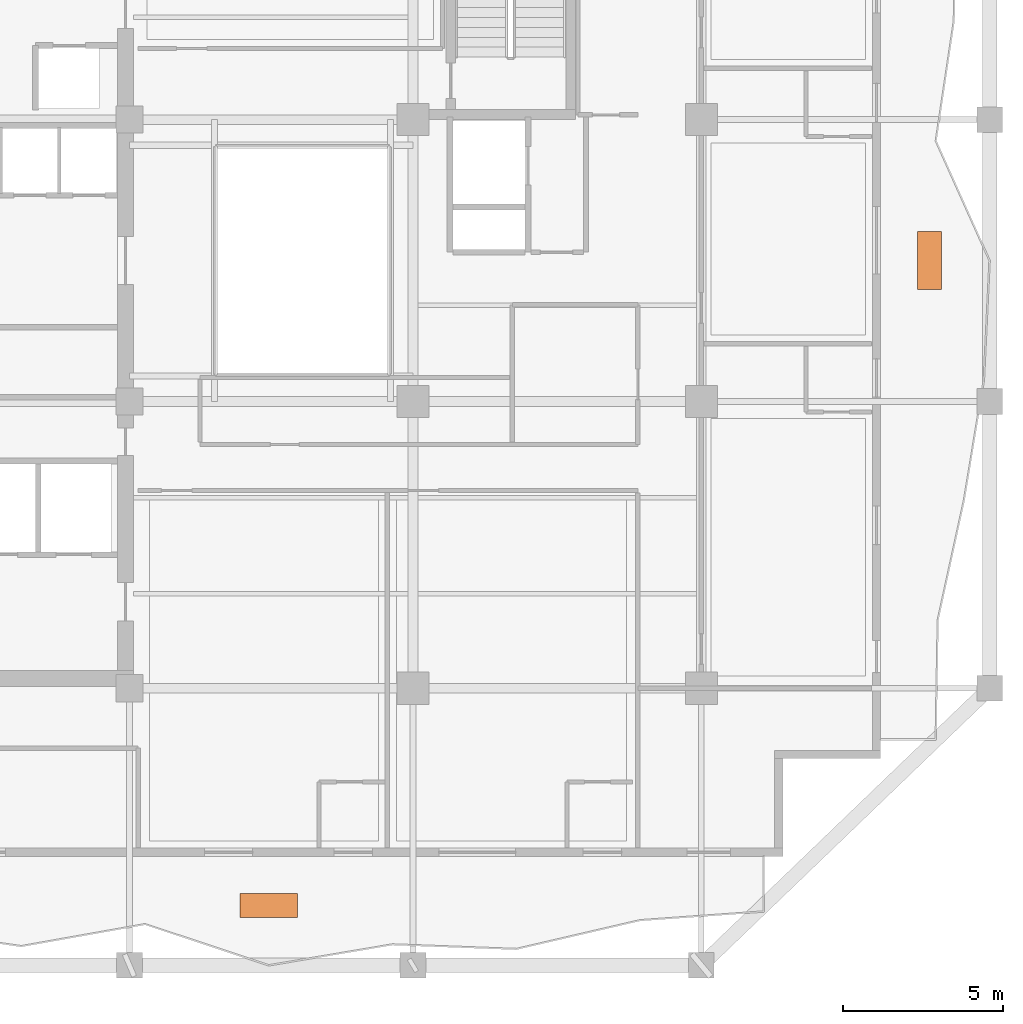
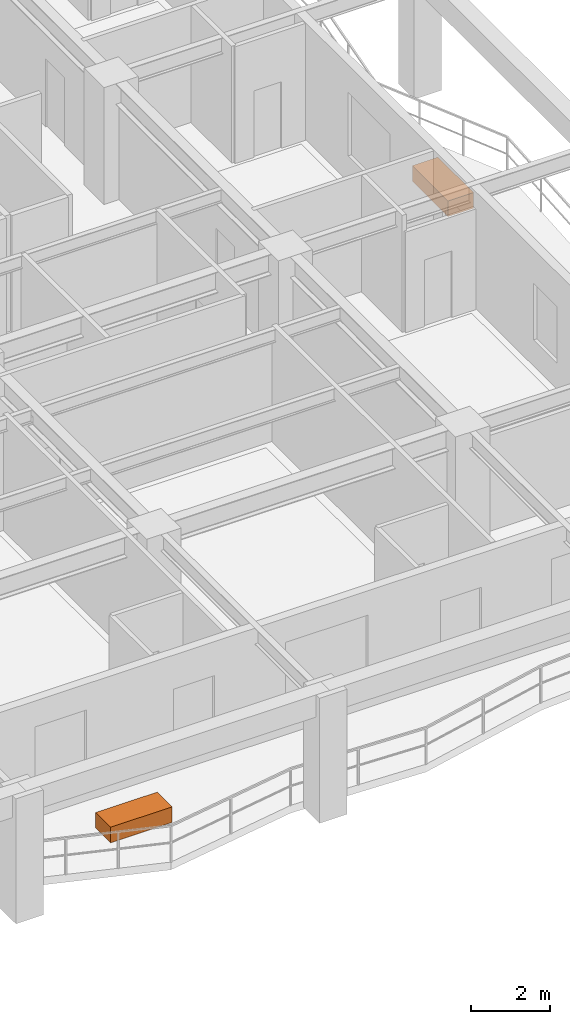
# One storey, part 10 of 10: 2 proxies.
"""IFC4 building model written with IfcOpenShell, lengths in metres."""

import ifcopenshell
import ifcopenshell.guid

model = None  # the IFC model being written
_history = None  # IfcOwnerHistory: only IFC2X3 demands one
_inside = {}  # id of a spatial element -> (the spatial element, [elements in it])
_under = {}  # id of a project, library or spatial element -> (it, [spatial elements below it])
_declared = {}  # id of a project -> (the project, [libraries it declares])
_typed = {}  # id of a type object -> (the type object, [elements of that type])
_made_of = {}  # id of a material, layer set ... -> (it, [elements and type objects made of it])


def new_model(schema):
    """Start an empty IFC model of exactly this schema.

    Asked for "IFC4X3", IfcOpenShell would pick the latest addendum, in which some entities
    have other attributes; the version numbers below select the first issue.
    IFC2X3 requires an IfcOwnerHistory on every rooted entity: one is made here for all.
    """
    global model, _history
    if schema == "IFC4X3":
        model = ifcopenshell.file(schema_version=(4, 3, 0, 0))
    else:
        model = ifcopenshell.file(schema=schema)
    _inside.clear()
    _under.clear()
    _declared.clear()
    _typed.clear()
    _made_of.clear()
    _history = None
    if model.schema == "IFC2X3":
        org = make("IfcOrganization", Name="unknown")
        user = make(
            "IfcPersonAndOrganization",
            ThePerson=make("IfcPerson", FamilyName="unknown"),
            TheOrganization=org,
        )
        app = make(
            "IfcApplication",
            ApplicationDeveloper=org,
            Version="unknown",
            ApplicationFullName="unknown",
            ApplicationIdentifier="unknown",
        )
        _history = make(
            "IfcOwnerHistory",
            OwningUser=user,
            OwningApplication=app,
            ChangeAction="ADDED",
            CreationDate=0,
        )
    return model


def make(cls, **values):
    """One entity of the class cls with the attributes given. An attribute that is None is left unset."""
    return model.create_entity(
        cls, **{name: value for name, value in values.items() if value is not None}
    )


def rooted(cls, **values):
    """An entity with a GlobalId (a new one), such as an element, a storey or a relation."""
    return make(cls, GlobalId=ifcopenshell.guid.new(), OwnerHistory=_history, **values)


def si_unit(unit_type, name, prefix=None):
    """IfcSIUnit, for example si_unit("LENGTHUNIT", "METRE", prefix="MILLI")."""
    return make("IfcSIUnit", UnitType=unit_type, Prefix=prefix, Name=name)


def assignment(units):
    """IfcUnitAssignment: the units of a project."""
    return None if units is None else make("IfcUnitAssignment", Units=units)


def point(xyz):
    """IfcCartesianPoint."""
    return None if xyz is None else make("IfcCartesianPoint", Coordinates=xyz)


def direction(xyz):
    """IfcDirection."""
    return None if xyz is None else make("IfcDirection", DirectionRatios=xyz)


def frame(location, z_axis=None, x_axis=None):
    """IfcAxis2Placement3D, a coordinate frame: its origin and axes. An axis left out is left unset."""
    return make(
        "IfcAxis2Placement3D",
        Location=point(location),
        Axis=direction(z_axis),
        RefDirection=direction(x_axis),
    )


def frame_2d(location, x_axis=None):
    """IfcAxis2Placement2D, a coordinate frame in the plane: its origin and x axis."""
    return make(
        "IfcAxis2Placement2D", Location=point(location), RefDirection=direction(x_axis)
    )


def origin():
    """The frame at (0, 0, 0) with its axes left unset."""
    return frame((0.0, 0.0, 0.0))


def origin_2d():
    """The frame at (0, 0) in the plane with its x axis left unset."""
    return frame_2d((0.0, 0.0))


def place(relative_to, where):
    """IfcLocalPlacement: puts the frame where relative to a parent placement (None: the world)."""
    return make(
        "IfcLocalPlacement", PlacementRelTo=relative_to, RelativePlacement=where
    )


def context(
    kind, dimensions, precision=None, world=None, true_north=None, identifier=None
):
    """IfcGeometricRepresentationContext, for example the 3D "Model" context."""
    return make(
        "IfcGeometricRepresentationContext",
        ContextIdentifier=identifier,
        ContextType=kind,
        CoordinateSpaceDimension=dimensions,
        Precision=precision,
        WorldCoordinateSystem=world,
        TrueNorth=true_north,
    )


def subcontext(parent, identifier, kind, view, scale=None):
    """IfcGeometricRepresentationSubContext, for example "Body" below "Model"."""
    return make(
        "IfcGeometricRepresentationSubContext",
        ContextIdentifier=identifier,
        ContextType=kind,
        ParentContext=parent,
        TargetScale=scale,
        TargetView=view,
    )


def project(units=None, contexts=None):
    """IfcProject with its units and contexts."""
    return rooted(
        "IfcProject",
        Name="project",
        RepresentationContexts=contexts,
        UnitsInContext=assignment(units),
    )


def spatial(cls, under=None, at=None, **own):
    """A site, building, storey or space (cls), placed at a placement, below another one or the project."""
    s = rooted(cls, ObjectPlacement=at, **own)
    if under is not None:
        _under.setdefault(under.id(), (under, []))[1].append(s)
    return s


def profile(cls, at=None, kind="AREA", **sizes):
    """A parametric profile (cls). Its sizes go by their IFC names, for example OverallWidth=200.0."""
    return make(cls, ProfileType=kind, Position=at, **sizes)


def rectangle(**sizes):
    """IfcRectangleProfileDef."""
    return profile("IfcRectangleProfileDef", **sizes)


def extrude(swept, where, along, depth):
    """IfcExtrudedAreaSolid: the profile swept, set in the frame where, extruded along a direction by depth."""
    return make(
        "IfcExtrudedAreaSolid",
        SweptArea=swept,
        Position=where,
        ExtrudedDirection=direction(along),
        Depth=depth,
    )


def shape(context_of_items, identifier, shape_type, items):
    """IfcShapeRepresentation: the items that make up one representation, for example the "Body"."""
    return make(
        "IfcShapeRepresentation",
        ContextOfItems=context_of_items,
        RepresentationIdentifier=identifier,
        RepresentationType=shape_type,
        Items=items,
    )


def material(Name=None, Category=None):
    """IfcMaterial."""
    return make("IfcMaterial", Name=Name, Category=Category)


def made_of(thing, what):
    """Note that an element or type object is made of a material, layer set ...; save() writes the relation."""
    if what is not None:
        _made_of.setdefault(what.id(), (what, []))[1].append(thing)
    return thing


def type_object(cls, material=None, **own):
    """A type object (cls), such as IfcWallType, which elements share."""
    return made_of(rooted(cls, **own), material)


def element(
    cls,
    number,
    at=None,
    inside=None,
    cuts=None,
    type_object=None,
    material=None,
    context=None,
    identifier="Body",
    shape_type=None,
    held_by="IfcProductDefinitionShape",
    body=None,
    shapes=None,
    **own,
):
    """One element of the class cls, such as IfcWall. Its Tag is "e" and its number.

    at: its placement. inside: the storey or other place that contains it. cuts: it is an
    opening in that element (IfcRelVoidsElement). A single representation is given by context,
    identifier, shape_type and body (its items); several are given by shapes. held_by: the class
    of the entity that holds the representations. save() writes the other relations.
    """
    e = rooted(cls, Tag="e%d" % number, ObjectPlacement=at, **own)
    if body is not None:
        shapes = [shape(context, identifier, shape_type, body)]
    if shapes is not None:
        e.Representation = make(held_by, Representations=shapes)
    if inside is not None:
        _inside.setdefault(inside.id(), (inside, []))[1].append(e)
    if cuts is not None:
        rooted(
            "IfcRelVoidsElement", RelatingBuildingElement=cuts, RelatedOpeningElement=e
        )
    if type_object is not None:
        _typed.setdefault(type_object.id(), (type_object, []))[1].append(e)
    return made_of(e, material)


def aggregate(whole, parts):
    """IfcRelAggregates: a whole, such as a stair, and the parts it consists of."""
    return rooted("IfcRelAggregates", RelatingObject=whole, RelatedObjects=parts)


def save(model, path):
    """Write the relations noted so far, then the file.

    IfcRelAggregates (storeys below a building ...), IfcRelContainedInSpatialStructure (elements
    in a storey), IfcRelDefinesByType, IfcRelAssociatesMaterial and IfcRelDeclares: one each for
    every whole, place, type object, material and project.
    """
    for whole, parts in _under.values():
        aggregate(whole, parts)
    for where, things in _inside.values():
        rooted(
            "IfcRelContainedInSpatialStructure",
            RelatedElements=things,
            RelatingStructure=where,
        )
    for kind, things in _typed.values():
        rooted("IfcRelDefinesByType", RelatedObjects=things, RelatingType=kind)
    for what, things in _made_of.values():
        rooted("IfcRelAssociatesMaterial", RelatedObjects=things, RelatingMaterial=what)
    for by, libraries in _declared.values():
        rooted("IfcRelDeclares", RelatingContext=by, RelatedDefinitions=libraries)
    model.write(path)


model = new_model("IFC4")

# Units and contexts
model_context = context("Model", 3, precision=1e-05, world=origin(), true_north=direction((0.0, 1.0)))
body_context = subcontext(model_context, "Body", "Model", "MODEL_VIEW")
ifc_project = project(units=[si_unit("LENGTHUNIT", "METRE"), si_unit("AREAUNIT", "SQUARE_METRE"), si_unit("VOLUMEUNIT", "CUBIC_METRE"), si_unit("PLANEANGLEUNIT", "RADIAN"), si_unit("MASSUNIT", "GRAM", prefix="KILO")], contexts=[model_context])

# Site, building, storey
site_placement = place(None, origin())
site = spatial("IfcSite", under=ifc_project, at=site_placement, CompositionType="ELEMENT")
building_placement = place(site_placement, origin())
building = spatial("IfcBuilding", under=site, at=building_placement, Name="Kundavana Baori Tower", CompositionType="ELEMENT")
storey_placement = place(building_placement, frame((0.0, 0.0, 115.550048828125)))
storey = spatial("IfcBuildingStorey", under=building, at=storey_placement, Name="L27", CompositionType="ELEMENT", Elevation=115.550048828125)

# Proxies
ifc_material = material(Name="Red-Buff Dholpur Sandstone Cladding on Concrete C40/50", Category="masonry")
building_element_proxy_type = type_object("IfcBuildingElementProxyType", Name="PRX-PLANTER-1800", PredefinedType="USERDEFINED", material=ifc_material)
for number, where, z_axis, x_axis, name in (
    (1, (29.300048828125, 8.469970703125, 0.0), (0.0, 0.0, 1.0), (1.0, 0.0, 0.0), "L27 Dholpur Stone Structural Tree Planter S"),
    (2, (49.929931640625, 28.60009765625, 0.0), (0.0, 0.0, 1.0), (0.0, 1.0, 0.0), "L27 Dholpur Stone Structural Tree Planter E"),
):
    element("IfcBuildingElementProxy", number, at=place(storey_placement, frame(where, z_axis=z_axis, x_axis=x_axis)), inside=storey, type_object=building_element_proxy_type, Name=name, ObjectType="PLANTER", PredefinedType="USERDEFINED", context=body_context, shape_type="SweptSolid", body=[
        extrude(rectangle(XDim=1.800048828125, YDim=0.75, at=origin_2d()), origin(), (0.0, 0.0, 1.0), 0.47998046875),
    ])

save(model, "model.ifc")
